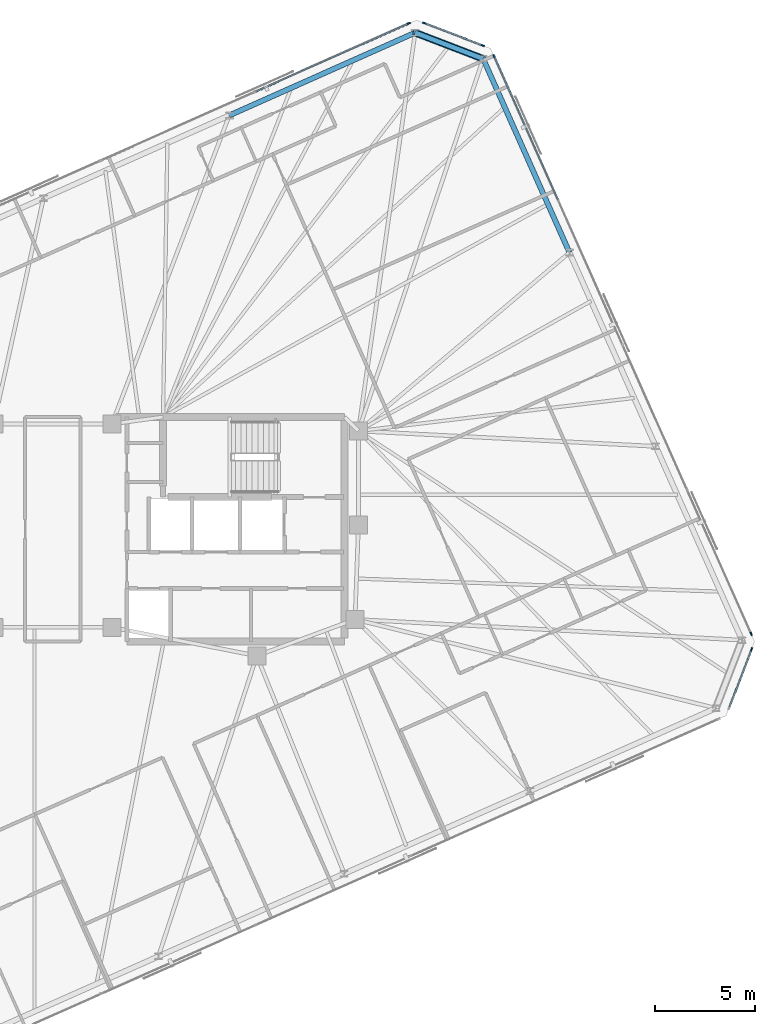
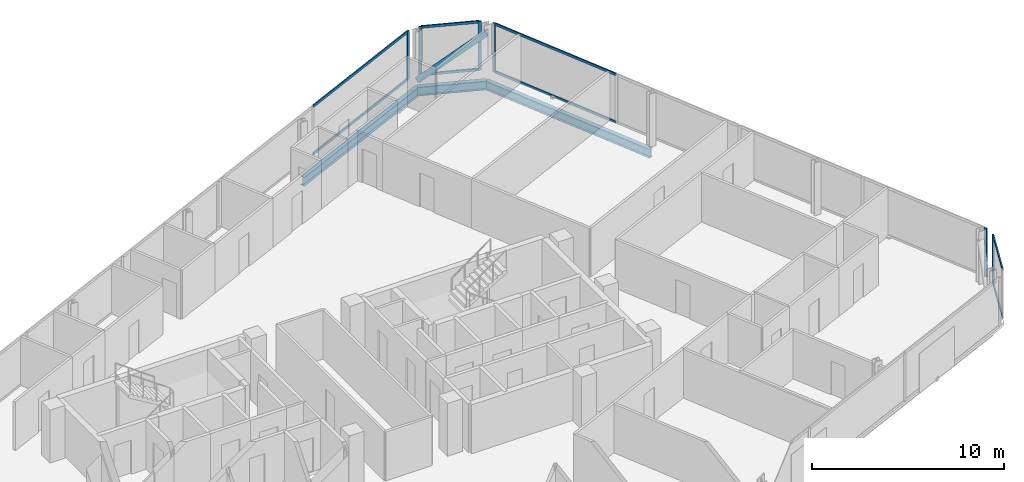
# One storey, part 11 of 18: 15 members, 3 beams, 4 elements without a shape of their own.
"""IFC4 building model written with IfcOpenShell, lengths in metres."""

import ifcopenshell
import ifcopenshell.guid

model = None  # the IFC model being written
_history = None  # IfcOwnerHistory: only IFC2X3 demands one
_inside = {}  # id of a spatial element -> (the spatial element, [elements in it])
_under = {}  # id of a project, library or spatial element -> (it, [spatial elements below it])
_declared = {}  # id of a project -> (the project, [libraries it declares])
_typed = {}  # id of a type object -> (the type object, [elements of that type])
_made_of = {}  # id of a material, layer set ... -> (it, [elements and type objects made of it])


def new_model(schema):
    """Start an empty IFC model of exactly this schema.

    Asked for "IFC4X3", IfcOpenShell would pick the latest addendum, in which some entities
    have other attributes; the version numbers below select the first issue.
    IFC2X3 requires an IfcOwnerHistory on every rooted entity: one is made here for all.
    """
    global model, _history
    if schema == "IFC4X3":
        model = ifcopenshell.file(schema_version=(4, 3, 0, 0))
    else:
        model = ifcopenshell.file(schema=schema)
    _inside.clear()
    _under.clear()
    _declared.clear()
    _typed.clear()
    _made_of.clear()
    _history = None
    if model.schema == "IFC2X3":
        org = make("IfcOrganization", Name="unknown")
        user = make(
            "IfcPersonAndOrganization",
            ThePerson=make("IfcPerson", FamilyName="unknown"),
            TheOrganization=org,
        )
        app = make(
            "IfcApplication",
            ApplicationDeveloper=org,
            Version="unknown",
            ApplicationFullName="unknown",
            ApplicationIdentifier="unknown",
        )
        _history = make(
            "IfcOwnerHistory",
            OwningUser=user,
            OwningApplication=app,
            ChangeAction="ADDED",
            CreationDate=0,
        )
    return model


def make(cls, **values):
    """One entity of the class cls with the attributes given. An attribute that is None is left unset."""
    return model.create_entity(
        cls, **{name: value for name, value in values.items() if value is not None}
    )


def rooted(cls, **values):
    """An entity with a GlobalId (a new one), such as an element, a storey or a relation."""
    return make(cls, GlobalId=ifcopenshell.guid.new(), OwnerHistory=_history, **values)


def si_unit(unit_type, name, prefix=None):
    """IfcSIUnit, for example si_unit("LENGTHUNIT", "METRE", prefix="MILLI")."""
    return make("IfcSIUnit", UnitType=unit_type, Prefix=prefix, Name=name)


def assignment(units):
    """IfcUnitAssignment: the units of a project."""
    return None if units is None else make("IfcUnitAssignment", Units=units)


def point(xyz):
    """IfcCartesianPoint."""
    return None if xyz is None else make("IfcCartesianPoint", Coordinates=xyz)


def direction(xyz):
    """IfcDirection."""
    return None if xyz is None else make("IfcDirection", DirectionRatios=xyz)


def frame(location, z_axis=None, x_axis=None):
    """IfcAxis2Placement3D, a coordinate frame: its origin and axes. An axis left out is left unset."""
    return make(
        "IfcAxis2Placement3D",
        Location=point(location),
        Axis=direction(z_axis),
        RefDirection=direction(x_axis),
    )


def frame_2d(location, x_axis=None):
    """IfcAxis2Placement2D, a coordinate frame in the plane: its origin and x axis."""
    return make(
        "IfcAxis2Placement2D", Location=point(location), RefDirection=direction(x_axis)
    )


def origin():
    """The frame at (0, 0, 0) with its axes left unset."""
    return frame((0.0, 0.0, 0.0))


def origin_2d():
    """The frame at (0, 0) in the plane with its x axis left unset."""
    return frame_2d((0.0, 0.0))


def place(relative_to, where):
    """IfcLocalPlacement: puts the frame where relative to a parent placement (None: the world)."""
    return make(
        "IfcLocalPlacement", PlacementRelTo=relative_to, RelativePlacement=where
    )


def context(
    kind, dimensions, precision=None, world=None, true_north=None, identifier=None
):
    """IfcGeometricRepresentationContext, for example the 3D "Model" context."""
    return make(
        "IfcGeometricRepresentationContext",
        ContextIdentifier=identifier,
        ContextType=kind,
        CoordinateSpaceDimension=dimensions,
        Precision=precision,
        WorldCoordinateSystem=world,
        TrueNorth=true_north,
    )


def subcontext(parent, identifier, kind, view, scale=None):
    """IfcGeometricRepresentationSubContext, for example "Body" below "Model"."""
    return make(
        "IfcGeometricRepresentationSubContext",
        ContextIdentifier=identifier,
        ContextType=kind,
        ParentContext=parent,
        TargetScale=scale,
        TargetView=view,
    )


def project(units=None, contexts=None):
    """IfcProject with its units and contexts."""
    return rooted(
        "IfcProject",
        Name="project",
        RepresentationContexts=contexts,
        UnitsInContext=assignment(units),
    )


def spatial(cls, under=None, at=None, **own):
    """A site, building, storey or space (cls), placed at a placement, below another one or the project."""
    s = rooted(cls, ObjectPlacement=at, **own)
    if under is not None:
        _under.setdefault(under.id(), (under, []))[1].append(s)
    return s


def profile(cls, at=None, kind="AREA", **sizes):
    """A parametric profile (cls). Its sizes go by their IFC names, for example OverallWidth=200.0."""
    return make(cls, ProfileType=kind, Position=at, **sizes)


def rectangle(**sizes):
    """IfcRectangleProfileDef."""
    return profile("IfcRectangleProfileDef", **sizes)


def hollow_circle(**sizes):
    """IfcCircleHollowProfileDef."""
    return profile("IfcCircleHollowProfileDef", **sizes)


def i_section(**sizes):
    """IfcIShapeProfileDef."""
    return profile("IfcIShapeProfileDef", **sizes)


def extrude(swept, where, along, depth):
    """IfcExtrudedAreaSolid: the profile swept, set in the frame where, extruded along a direction by depth."""
    return make(
        "IfcExtrudedAreaSolid",
        SweptArea=swept,
        Position=where,
        ExtrudedDirection=direction(along),
        Depth=depth,
    )


def shape(context_of_items, identifier, shape_type, items):
    """IfcShapeRepresentation: the items that make up one representation, for example the "Body"."""
    return make(
        "IfcShapeRepresentation",
        ContextOfItems=context_of_items,
        RepresentationIdentifier=identifier,
        RepresentationType=shape_type,
        Items=items,
    )


def material(Name=None, Category=None):
    """IfcMaterial."""
    return make("IfcMaterial", Name=Name, Category=Category)


def material_profile(
    of_material, cross_section, Name=None, Category=None, Priority=None
):
    """IfcMaterialProfile: a cross section and its material."""
    return make(
        "IfcMaterialProfile",
        Name=Name,
        Material=of_material,
        Profile=cross_section,
        Priority=Priority,
        Category=Category,
    )


def profile_set(profiles, Name=None, composite=None):
    """IfcMaterialProfileSet."""
    return make(
        "IfcMaterialProfileSet",
        Name=Name,
        MaterialProfiles=profiles,
        CompositeProfile=composite,
    )


def made_of(thing, what):
    """Note that an element or type object is made of a material, layer set ...; save() writes the relation."""
    if what is not None:
        _made_of.setdefault(what.id(), (what, []))[1].append(thing)
    return thing


def type_object(cls, material=None, **own):
    """A type object (cls), such as IfcWallType, which elements share."""
    return made_of(rooted(cls, **own), material)


def element(
    cls,
    number,
    at=None,
    inside=None,
    cuts=None,
    type_object=None,
    material=None,
    context=None,
    identifier="Body",
    shape_type=None,
    held_by="IfcProductDefinitionShape",
    body=None,
    shapes=None,
    **own,
):
    """One element of the class cls, such as IfcWall. Its Tag is "e" and its number.

    at: its placement. inside: the storey or other place that contains it. cuts: it is an
    opening in that element (IfcRelVoidsElement). A single representation is given by context,
    identifier, shape_type and body (its items); several are given by shapes. held_by: the class
    of the entity that holds the representations. save() writes the other relations.
    """
    e = rooted(cls, Tag="e%d" % number, ObjectPlacement=at, **own)
    if body is not None:
        shapes = [shape(context, identifier, shape_type, body)]
    if shapes is not None:
        e.Representation = make(held_by, Representations=shapes)
    if inside is not None:
        _inside.setdefault(inside.id(), (inside, []))[1].append(e)
    if cuts is not None:
        rooted(
            "IfcRelVoidsElement", RelatingBuildingElement=cuts, RelatedOpeningElement=e
        )
    if type_object is not None:
        _typed.setdefault(type_object.id(), (type_object, []))[1].append(e)
    return made_of(e, material)


def aggregate(whole, parts):
    """IfcRelAggregates: a whole, such as a stair, and the parts it consists of."""
    return rooted("IfcRelAggregates", RelatingObject=whole, RelatedObjects=parts)


def save(model, path):
    """Write the relations noted so far, then the file.

    IfcRelAggregates (storeys below a building ...), IfcRelContainedInSpatialStructure (elements
    in a storey), IfcRelDefinesByType, IfcRelAssociatesMaterial and IfcRelDeclares: one each for
    every whole, place, type object, material and project.
    """
    for whole, parts in _under.values():
        aggregate(whole, parts)
    for where, things in _inside.values():
        rooted(
            "IfcRelContainedInSpatialStructure",
            RelatedElements=things,
            RelatingStructure=where,
        )
    for kind, things in _typed.values():
        rooted("IfcRelDefinesByType", RelatedObjects=things, RelatingType=kind)
    for what, things in _made_of.values():
        rooted("IfcRelAssociatesMaterial", RelatedObjects=things, RelatingMaterial=what)
    for by, libraries in _declared.values():
        rooted("IfcRelDeclares", RelatingContext=by, RelatedDefinitions=libraries)
    model.write(path)


model = new_model("IFC4")

# Units and contexts
model_context = context("Model", 3, precision=1e-05, world=origin(), true_north=direction((0.0, 1.0)))
body_context = subcontext(model_context, "Body", "Model", "MODEL_VIEW")
ifc_project = project(units=[si_unit("LENGTHUNIT", "METRE"), si_unit("AREAUNIT", "SQUARE_METRE"), si_unit("VOLUMEUNIT", "CUBIC_METRE"), si_unit("PLANEANGLEUNIT", "RADIAN"), si_unit("MASSUNIT", "GRAM", prefix="KILO")], contexts=[model_context])

# Site, building, storey
site_placement = place(None, origin())
site = spatial("IfcSite", under=ifc_project, at=site_placement, CompositionType="ELEMENT")
building_placement = place(site_placement, origin())
building = spatial("IfcBuilding", under=site, at=building_placement, Name="Menara Jurai Vektor", CompositionType="ELEMENT")
storey_placement = place(building_placement, frame((0.0, 0.0, 272.25)))
storey = spatial("IfcBuildingStorey", under=building, at=storey_placement, Name="L73", CompositionType="ELEMENT", Elevation=272.25)

# Curtain wall, member
ifc_material_1 = material(Name="Anodised Pale Aluminium & Low-E Double Glazing", Category="aluminium")
curtain_wall_type = type_object("IfcCurtainWallType", Name="CW-BLK5", PredefinedType="NOTDEFINED", material=ifc_material_1)
curtain_wall_1_placement = place(storey_placement, origin())
curtain_wall_1 = element("IfcCurtainWall", 1, at=curtain_wall_1_placement, inside=storey, type_object=curtain_wall_type, Name="Unitised Curtain Wall L73 F02", PredefinedType="NOTDEFINED")
ifc_material_2 = material(Name="Anodised Pale Aluminium Mullion", Category="aluminium")
ifc_material_profile_1 = material_profile(ifc_material_2, rectangle(XDim=0.074951171875, YDim=0.175048828125, at=origin_2d()), Name="ALU MUL 75x175")
ifc_profile_set_1 = profile_set([ifc_material_profile_1], Name="Anodised Pale Aluminium Mullion")
member_type_1 = type_object("IfcMemberType", Name="CW-BLK5-MUL", PredefinedType="MULLION", material=ifc_profile_set_1)
member_1_placement = place(storey_placement, frame((34.87548828125, -5.997314453125, 0.0), z_axis=(0.0, 0.0, 1.0), x_axis=(-0.933578193639, 0.358373766287, 0.0)))
member_1 = element("IfcMember", 2, at=member_1_placement, type_object=member_type_1, Name="CW-05 mullion 2", PredefinedType="MULLION", context=body_context, shape_type="SweptSolid", body=[
    extrude(rectangle(XDim=0.074951171875, YDim=0.175048828125, at=origin_2d()), origin(), (0.0, 0.0, 1.0), 3.10009765625),
])

# Curtain wall, members
curtain_wall_2_placement = place(storey_placement, origin())
curtain_wall_2 = element("IfcCurtainWall", 3, at=curtain_wall_2_placement, inside=storey, type_object=curtain_wall_type, Name="Unitised Curtain Wall L73 F03", PredefinedType="NOTDEFINED")
member_2_placement = place(storey_placement, frame((34.85546875, -5.22607421875, 0.0), z_axis=(0.0, 0.0, 1.0), x_axis=(-0.913546127706, -0.406735138086, 0.0)))
member_2 = element("IfcMember", 4, at=member_2_placement, type_object=member_type_1, Name="CW-05 mullion 1", PredefinedType="MULLION", context=body_context, shape_type="SweptSolid", body=[
    extrude(rectangle(XDim=0.074951171875, YDim=0.175048828125, at=origin_2d()), origin(), (0.0, 0.0, 1.0), 3.10009765625),
])
member_3_placement = place(storey_placement, frame((22.016845703125, 23.610107421875, 0.0), z_axis=(0.0, 0.0, 1.0), x_axis=(-0.913546127706, -0.406735138086, 0.0)))
member_3 = element("IfcMember", 5, at=member_3_placement, type_object=member_type_1, Name="CW-05 mullion 5", PredefinedType="MULLION", context=body_context, shape_type="SweptSolid", body=[
    extrude(rectangle(XDim=0.074951171875, YDim=0.175048828125, at=origin_2d()), origin(), (0.0, 0.0, 1.0), 3.10009765625),
])

curtain_wall_3_placement = place(storey_placement, origin())
curtain_wall_3 = element("IfcCurtainWall", 6, at=curtain_wall_3_placement, inside=storey, type_object=curtain_wall_type, Name="Unitised Curtain Wall L73 F04", PredefinedType="NOTDEFINED")
member_4_placement = place(storey_placement, frame((21.45703125, 24.14111328125, 0.0), z_axis=(0.0, 0.0, 1.0), x_axis=(-0.358373766287, -0.933578193639, 0.0)))
member_4 = element("IfcMember", 7, at=member_4_placement, type_object=member_type_1, Name="CW-05 mullion 1", PredefinedType="MULLION", context=body_context, shape_type="SweptSolid", body=[
    extrude(rectangle(XDim=0.074951171875, YDim=0.175048828125, at=origin_2d()), origin(), (0.0, 0.0, 1.0), 3.10009765625),
])
member_5_placement = place(storey_placement, frame((18.539794921875, 25.2607421875, 0.0), z_axis=(0.0, 0.0, 1.0), x_axis=(-0.358373766287, -0.933578193639, 0.0)))
member_5 = element("IfcMember", 8, at=member_5_placement, type_object=member_type_1, Name="CW-05 mullion 2", PredefinedType="MULLION", context=body_context, shape_type="SweptSolid", body=[
    extrude(rectangle(XDim=0.074951171875, YDim=0.175048828125, at=origin_2d()), origin(), (0.0, 0.0, 1.0), 3.10009765625),
])

# Curtain wall, member
curtain_wall_4_placement = place(storey_placement, origin())
curtain_wall_4 = element("IfcCurtainWall", 9, at=curtain_wall_4_placement, inside=storey, type_object=curtain_wall_type, Name="Unitised Curtain Wall L73 F05", PredefinedType="NOTDEFINED")
member_6_placement = place(storey_placement, frame((17.768798828125, 25.24072265625, 0.0), z_axis=(0.0, 0.0, 1.0), x_axis=(0.406735498684, -0.913545967158, 0.0)))
member_6 = element("IfcMember", 10, at=member_6_placement, type_object=member_type_1, Name="CW-05 mullion 1", PredefinedType="MULLION", context=body_context, shape_type="SweptSolid", body=[
    extrude(rectangle(XDim=0.074951171875, YDim=0.175048828125, at=origin_2d()), origin(), (0.0, 0.0, 1.0), 3.10009765625),
])

# Member
ifc_material_3 = material(Name="Anodised Pale Aluminium Transom", Category="aluminium")
ifc_material_profile_2 = material_profile(ifc_material_3, rectangle(XDim=0.074951171875, YDim=0.155029296875, at=origin_2d()), Name="ALU TRN 75x155")
ifc_profile_set_2 = profile_set([ifc_material_profile_2], Name="Anodised Pale Aluminium Transom")
member_type_2 = type_object("IfcMemberType", Name="CW-BLK5-TRN", PredefinedType="USERDEFINED", material=ifc_profile_set_2)
member_7_placement = place(storey_placement, frame((33.769287109375, -8.87939453125, 0.03759765625), z_axis=(0.358324523823, 0.933597094911, 0.0), x_axis=(-0.933597094911, 0.358324523823, 0.0)))
member_7 = element("IfcMember", 11, at=member_7_placement, type_object=member_type_2, Name="CW-05 transom 1.1", ObjectType="TRANSOM", PredefinedType="USERDEFINED", context=body_context, shape_type="SweptSolid", body=[
    extrude(rectangle(XDim=0.074951171875, YDim=0.155029296875, at=origin_2d()), origin(), (0.0, 0.0, 1.0), 3.049560546875),
])

member_8_placement = place(storey_placement, frame((33.769287109375, -8.87939453125, 3.0625), z_axis=(0.358324523823, 0.933597094911, 0.0), x_axis=(-0.933597094911, 0.358324523823, 0.0)))
member_8 = element("IfcMember", 12, at=member_8_placement, type_object=member_type_2, Name="CW-05 transom 1.2", ObjectType="TRANSOM", PredefinedType="USERDEFINED", context=body_context, shape_type="SweptSolid", body=[
    extrude(rectangle(XDim=0.074951171875, YDim=0.155029296875, at=origin_2d()), origin(), (0.0, 0.0, 1.0), 3.049560546875),
])

aggregate(curtain_wall_1, [member_1, member_7, member_8])

member_9_placement = place(storey_placement, frame((25.20361328125, 16.452392578125, 0.03759765625), z_axis=(-0.406751345283, 0.913538911656, 0.0), x_axis=(-0.913538911656, -0.406751345283, 0.0)))
member_9 = element("IfcMember", 13, at=member_9_placement, type_object=member_type_2, Name="CW-05 transom 4.1", ObjectType="TRANSOM", PredefinedType="USERDEFINED", context=body_context, shape_type="SweptSolid", body=[
    extrude(rectangle(XDim=0.074951171875, YDim=0.155029296875, at=origin_2d()), origin(), (0.0, 0.0, 1.0), 7.79736328125),
])

member_10_placement = place(storey_placement, frame((25.20361328125, 16.452392578125, 3.0625), z_axis=(-0.406751345283, 0.913538911656, 0.0), x_axis=(-0.913538911656, -0.406751345283, 0.0)))
member_10 = element("IfcMember", 14, at=member_10_placement, type_object=member_type_2, Name="CW-05 transom 4.2", ObjectType="TRANSOM", PredefinedType="USERDEFINED", context=body_context, shape_type="SweptSolid", body=[
    extrude(rectangle(XDim=0.074951171875, YDim=0.155029296875, at=origin_2d()), origin(), (0.0, 0.0, 1.0), 7.79736328125),
])

aggregate(curtain_wall_2, [member_2, member_3, member_9, member_10])

member_11_placement = place(storey_placement, frame((21.422119140625, 24.154541015625, 0.03759765625), z_axis=(-0.933597094911, 0.358324523823, 0.0), x_axis=(-0.358324523823, -0.933597094911, 0.0)))
member_11 = element("IfcMember", 15, at=member_11_placement, type_object=member_type_2, Name="CW-05 transom 1.1", ObjectType="TRANSOM", PredefinedType="USERDEFINED", context=body_context, shape_type="SweptSolid", body=[
    extrude(rectangle(XDim=0.074951171875, YDim=0.155029296875, at=origin_2d()), origin(), (0.0, 0.0, 1.0), 3.049560546875),
])

member_12_placement = place(storey_placement, frame((21.422119140625, 24.154541015625, 3.0625), z_axis=(-0.933597094911, 0.358324523823, 0.0), x_axis=(-0.358324523823, -0.933597094911, 0.0)))
member_12 = element("IfcMember", 16, at=member_12_placement, type_object=member_type_2, Name="CW-05 transom 1.2", ObjectType="TRANSOM", PredefinedType="USERDEFINED", context=body_context, shape_type="SweptSolid", body=[
    extrude(rectangle(XDim=0.074951171875, YDim=0.155029296875, at=origin_2d()), origin(), (0.0, 0.0, 1.0), 3.049560546875),
])

aggregate(curtain_wall_3, [member_4, member_5, member_11, member_12])

member_13_placement = place(storey_placement, frame((17.734375, 25.225341796875, 0.03759765625), z_axis=(-0.913549007168, -0.406728670618, 0.0), x_axis=(0.406728670618, -0.913549007168, 0.0)))
member_13 = element("IfcMember", 17, at=member_13_placement, type_object=member_type_2, Name="CW-05 transom 1.1", ObjectType="TRANSOM", PredefinedType="USERDEFINED", context=body_context, shape_type="SweptSolid", body=[
    extrude(rectangle(XDim=0.074951171875, YDim=0.155029296875, at=origin_2d()), origin(), (0.0, 0.0, 1.0), 8.327392578125),
])

member_14_placement = place(storey_placement, frame((17.734375, 25.225341796875, 3.0625), z_axis=(-0.913549007168, -0.406728670618, 0.0), x_axis=(0.406728670618, -0.913549007168, 0.0)))
member_14 = element("IfcMember", 18, at=member_14_placement, type_object=member_type_2, Name="CW-05 transom 1.2", ObjectType="TRANSOM", PredefinedType="USERDEFINED", context=body_context, shape_type="SweptSolid", body=[
    extrude(rectangle(XDim=0.074951171875, YDim=0.155029296875, at=origin_2d()), origin(), (0.0, 0.0, 1.0), 8.327392578125),
])

aggregate(curtain_wall_4, [member_6, member_13, member_14])

ifc_material_4 = material(Name="Steel S460", Category="steel")
ifc_material_profile_3 = material_profile(ifc_material_4, hollow_circle(Radius=0.177734375, WallThickness=0.01611328125, at=origin_2d()), Name="CHS 355.6x16")
ifc_profile_set_3 = profile_set([ifc_material_profile_3], Name="Steel S460")
member_type_3 = type_object("IfcMemberType", Name="STR-BR-356", PredefinedType="BRACE", material=ifc_profile_set_3)
member_15_placement = place(storey_placement, frame((18.07958984375, 24.777099609375, 0.14990234375), z_axis=(0.759501505233, -0.291569952404, 0.581501871368), x_axis=(0.358394346877, 0.933570293083, 0.0)))
element("IfcMember", 19, at=member_15_placement, inside=storey, type_object=member_type_3, Name="Exoskeleton Corner Brace L73-2", PredefinedType="BRACE", context=body_context, shape_type="SweptSolid", body=[
    extrude(hollow_circle(Radius=0.177734375, WallThickness=0.01611328125, at=origin_2d()), origin(), (0.0, 0.0, 1.0), 4.471435546875),
])

# Beams
ifc_material_5 = material(Name="Steel S355", Category="steel")
ifc_material_profile_4 = material_profile(ifc_material_5, i_section(OverallWidth=0.260009765625, OverallDepth=0.570068359375, WebThickness=0.013916015625, FlangeThickness=0.02392578125, at=origin_2d()), Name="PG 570x260x145")
ifc_profile_set_4 = profile_set([ifc_material_profile_4], Name="Steel S355")
beam_type = type_object("IfcBeamType", Name="STR-SP-570", PredefinedType="SPANDREL", material=ifc_profile_set_4)
beam_1_placement = place(storey_placement, frame((25.781005859375, 13.80322265625, -0.510009765625), z_axis=(-0.40673543049, 0.91354599752, 0.0), x_axis=(-0.91354599752, -0.40673543049, 0.0)))
element("IfcBeam", 20, at=beam_1_placement, inside=storey, type_object=beam_type, Name="Exoskeleton Spandrel Beam L73-09", PredefinedType="SPANDREL", context=body_context, shape_type="SweptSolid", body=[
    extrude(i_section(OverallWidth=0.260009765625, OverallDepth=0.570068359375, WebThickness=0.013916015625, FlangeThickness=0.02392578125, at=origin_2d()), origin(), (0.0, 0.0, 1.0), 10.585205078125),
])
beam_2_placement = place(storey_placement, frame((21.4755859375, 23.473388671875, -0.510009765625), z_axis=(-0.933570293083, 0.358394346877, 0.0), x_axis=(-0.358394346877, -0.933570293083, 0.0)))
element("IfcBeam", 21, at=beam_2_placement, inside=storey, type_object=beam_type, Name="Exoskeleton Spandrel Beam L73-10", PredefinedType="SPANDREL", context=body_context, shape_type="SweptSolid", body=[
    extrude(i_section(OverallWidth=0.260009765625, OverallDepth=0.570068359375, WebThickness=0.013916015625, FlangeThickness=0.02392578125, at=origin_2d()), origin(), (0.0, 0.0, 1.0), 3.6376953125),
])
beam_3_placement = place(storey_placement, frame((18.07958984375, 24.777099609375, -0.510009765625), z_axis=(-0.913545561407, -0.406736410017, 0.0), x_axis=(0.406736410017, -0.913545561407, 0.0)))
element("IfcBeam", 22, at=beam_3_placement, inside=storey, type_object=beam_type, Name="Exoskeleton Spandrel Beam L73-11", PredefinedType="SPANDREL", context=body_context, shape_type="SweptSolid", body=[
    extrude(i_section(OverallWidth=0.260009765625, OverallDepth=0.570068359375, WebThickness=0.013916015625, FlangeThickness=0.02392578125, at=origin_2d()), origin(), (0.0, 0.0, 1.0), 10.1513671875),
])

save(model, "model.ifc")
